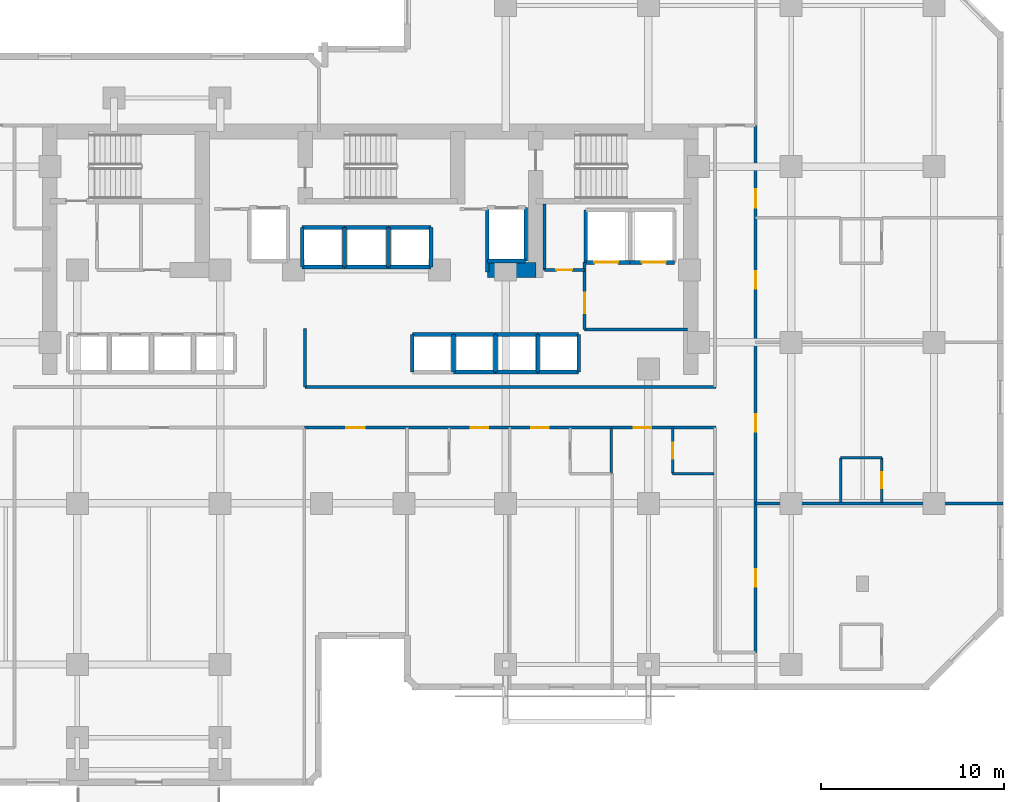
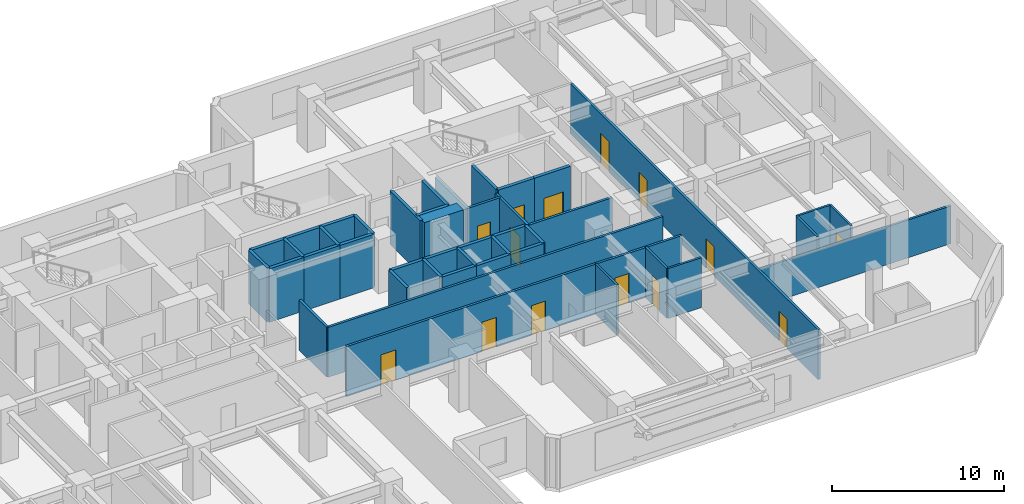
# One storey, part 8 of 12: 44 walls, 14 doors, 14 openings.
"""IFC4 building model written with IfcOpenShell, lengths in metres."""

import ifcopenshell
import ifcopenshell.guid

model = None  # the IFC model being written
_history = None  # IfcOwnerHistory: only IFC2X3 demands one
_inside = {}  # id of a spatial element -> (the spatial element, [elements in it])
_under = {}  # id of a project, library or spatial element -> (it, [spatial elements below it])
_declared = {}  # id of a project -> (the project, [libraries it declares])
_typed = {}  # id of a type object -> (the type object, [elements of that type])
_made_of = {}  # id of a material, layer set ... -> (it, [elements and type objects made of it])


def new_model(schema):
    """Start an empty IFC model of exactly this schema.

    Asked for "IFC4X3", IfcOpenShell would pick the latest addendum, in which some entities
    have other attributes; the version numbers below select the first issue.
    IFC2X3 requires an IfcOwnerHistory on every rooted entity: one is made here for all.
    """
    global model, _history
    if schema == "IFC4X3":
        model = ifcopenshell.file(schema_version=(4, 3, 0, 0))
    else:
        model = ifcopenshell.file(schema=schema)
    _inside.clear()
    _under.clear()
    _declared.clear()
    _typed.clear()
    _made_of.clear()
    _history = None
    if model.schema == "IFC2X3":
        org = make("IfcOrganization", Name="unknown")
        user = make(
            "IfcPersonAndOrganization",
            ThePerson=make("IfcPerson", FamilyName="unknown"),
            TheOrganization=org,
        )
        app = make(
            "IfcApplication",
            ApplicationDeveloper=org,
            Version="unknown",
            ApplicationFullName="unknown",
            ApplicationIdentifier="unknown",
        )
        _history = make(
            "IfcOwnerHistory",
            OwningUser=user,
            OwningApplication=app,
            ChangeAction="ADDED",
            CreationDate=0,
        )
    return model


def make(cls, **values):
    """One entity of the class cls with the attributes given. An attribute that is None is left unset."""
    return model.create_entity(
        cls, **{name: value for name, value in values.items() if value is not None}
    )


def rooted(cls, **values):
    """An entity with a GlobalId (a new one), such as an element, a storey or a relation."""
    return make(cls, GlobalId=ifcopenshell.guid.new(), OwnerHistory=_history, **values)


def si_unit(unit_type, name, prefix=None):
    """IfcSIUnit, for example si_unit("LENGTHUNIT", "METRE", prefix="MILLI")."""
    return make("IfcSIUnit", UnitType=unit_type, Prefix=prefix, Name=name)


def assignment(units):
    """IfcUnitAssignment: the units of a project."""
    return None if units is None else make("IfcUnitAssignment", Units=units)


def point(xyz):
    """IfcCartesianPoint."""
    return None if xyz is None else make("IfcCartesianPoint", Coordinates=xyz)


def direction(xyz):
    """IfcDirection."""
    return None if xyz is None else make("IfcDirection", DirectionRatios=xyz)


def frame(location, z_axis=None, x_axis=None):
    """IfcAxis2Placement3D, a coordinate frame: its origin and axes. An axis left out is left unset."""
    return make(
        "IfcAxis2Placement3D",
        Location=point(location),
        Axis=direction(z_axis),
        RefDirection=direction(x_axis),
    )


def frame_2d(location, x_axis=None):
    """IfcAxis2Placement2D, a coordinate frame in the plane: its origin and x axis."""
    return make(
        "IfcAxis2Placement2D", Location=point(location), RefDirection=direction(x_axis)
    )


def origin():
    """The frame at (0, 0, 0) with its axes left unset."""
    return frame((0.0, 0.0, 0.0))


def place(relative_to, where):
    """IfcLocalPlacement: puts the frame where relative to a parent placement (None: the world)."""
    return make(
        "IfcLocalPlacement", PlacementRelTo=relative_to, RelativePlacement=where
    )


def context(
    kind, dimensions, precision=None, world=None, true_north=None, identifier=None
):
    """IfcGeometricRepresentationContext, for example the 3D "Model" context."""
    return make(
        "IfcGeometricRepresentationContext",
        ContextIdentifier=identifier,
        ContextType=kind,
        CoordinateSpaceDimension=dimensions,
        Precision=precision,
        WorldCoordinateSystem=world,
        TrueNorth=true_north,
    )


def subcontext(parent, identifier, kind, view, scale=None):
    """IfcGeometricRepresentationSubContext, for example "Body" below "Model"."""
    return make(
        "IfcGeometricRepresentationSubContext",
        ContextIdentifier=identifier,
        ContextType=kind,
        ParentContext=parent,
        TargetScale=scale,
        TargetView=view,
    )


def project(units=None, contexts=None):
    """IfcProject with its units and contexts."""
    return rooted(
        "IfcProject",
        Name="project",
        RepresentationContexts=contexts,
        UnitsInContext=assignment(units),
    )


def spatial(cls, under=None, at=None, **own):
    """A site, building, storey or space (cls), placed at a placement, below another one or the project."""
    s = rooted(cls, ObjectPlacement=at, **own)
    if under is not None:
        _under.setdefault(under.id(), (under, []))[1].append(s)
    return s


def profile(cls, at=None, kind="AREA", **sizes):
    """A parametric profile (cls). Its sizes go by their IFC names, for example OverallWidth=200.0."""
    return make(cls, ProfileType=kind, Position=at, **sizes)


def rectangle(**sizes):
    """IfcRectangleProfileDef."""
    return profile("IfcRectangleProfileDef", **sizes)


def extrude(swept, where, along, depth):
    """IfcExtrudedAreaSolid: the profile swept, set in the frame where, extruded along a direction by depth."""
    return make(
        "IfcExtrudedAreaSolid",
        SweptArea=swept,
        Position=where,
        ExtrudedDirection=direction(along),
        Depth=depth,
    )


def shape(context_of_items, identifier, shape_type, items):
    """IfcShapeRepresentation: the items that make up one representation, for example the "Body"."""
    return make(
        "IfcShapeRepresentation",
        ContextOfItems=context_of_items,
        RepresentationIdentifier=identifier,
        RepresentationType=shape_type,
        Items=items,
    )


def material(Name=None, Category=None):
    """IfcMaterial."""
    return make("IfcMaterial", Name=Name, Category=Category)


def layer(
    of_material, thickness, ventilated=None, Name=None, Category=None, Priority=None
):
    """IfcMaterialLayer: one layer of a wall or slab, of a material (None: an air gap)."""
    return make(
        "IfcMaterialLayer",
        Material=of_material,
        LayerThickness=thickness,
        IsVentilated=ventilated,
        Name=Name,
        Category=Category,
        Priority=Priority,
    )


def layer_set(layers, Name=None):
    """IfcMaterialLayerSet."""
    return make("IfcMaterialLayerSet", MaterialLayers=layers, LayerSetName=Name)


def made_of(thing, what):
    """Note that an element or type object is made of a material, layer set ...; save() writes the relation."""
    if what is not None:
        _made_of.setdefault(what.id(), (what, []))[1].append(thing)
    return thing


def type_object(cls, material=None, **own):
    """A type object (cls), such as IfcWallType, which elements share."""
    return made_of(rooted(cls, **own), material)


def element(
    cls,
    number,
    at=None,
    inside=None,
    cuts=None,
    type_object=None,
    material=None,
    context=None,
    identifier="Body",
    shape_type=None,
    held_by="IfcProductDefinitionShape",
    body=None,
    shapes=None,
    **own,
):
    """One element of the class cls, such as IfcWall. Its Tag is "e" and its number.

    at: its placement. inside: the storey or other place that contains it. cuts: it is an
    opening in that element (IfcRelVoidsElement). A single representation is given by context,
    identifier, shape_type and body (its items); several are given by shapes. held_by: the class
    of the entity that holds the representations. save() writes the other relations.
    """
    e = rooted(cls, Tag="e%d" % number, ObjectPlacement=at, **own)
    if body is not None:
        shapes = [shape(context, identifier, shape_type, body)]
    if shapes is not None:
        e.Representation = make(held_by, Representations=shapes)
    if inside is not None:
        _inside.setdefault(inside.id(), (inside, []))[1].append(e)
    if cuts is not None:
        rooted(
            "IfcRelVoidsElement", RelatingBuildingElement=cuts, RelatedOpeningElement=e
        )
    if type_object is not None:
        _typed.setdefault(type_object.id(), (type_object, []))[1].append(e)
    return made_of(e, material)


def fill(opening, filler):
    """IfcRelFillsElement: the door or window that sits in an opening."""
    return rooted(
        "IfcRelFillsElement",
        RelatingOpeningElement=opening,
        RelatedBuildingElement=filler,
    )


def aggregate(whole, parts):
    """IfcRelAggregates: a whole, such as a stair, and the parts it consists of."""
    return rooted("IfcRelAggregates", RelatingObject=whole, RelatedObjects=parts)


def save(model, path):
    """Write the relations noted so far, then the file.

    IfcRelAggregates (storeys below a building ...), IfcRelContainedInSpatialStructure (elements
    in a storey), IfcRelDefinesByType, IfcRelAssociatesMaterial and IfcRelDeclares: one each for
    every whole, place, type object, material and project.
    """
    for whole, parts in _under.values():
        aggregate(whole, parts)
    for where, things in _inside.values():
        rooted(
            "IfcRelContainedInSpatialStructure",
            RelatedElements=things,
            RelatingStructure=where,
        )
    for kind, things in _typed.values():
        rooted("IfcRelDefinesByType", RelatedObjects=things, RelatingType=kind)
    for what, things in _made_of.values():
        rooted("IfcRelAssociatesMaterial", RelatedObjects=things, RelatingMaterial=what)
    for by, libraries in _declared.values():
        rooted("IfcRelDeclares", RelatingContext=by, RelatedDefinitions=libraries)
    model.write(path)


model = new_model("IFC4")

# Units and contexts
model_context = context("Model", 3, precision=1e-05, world=origin(), true_north=direction((0.0, 1.0)))
body_context = subcontext(model_context, "Body", "Model", "MODEL_VIEW")
ifc_project = project(units=[si_unit("LENGTHUNIT", "METRE"), si_unit("AREAUNIT", "SQUARE_METRE"), si_unit("VOLUMEUNIT", "CUBIC_METRE"), si_unit("PLANEANGLEUNIT", "RADIAN"), si_unit("MASSUNIT", "GRAM", prefix="KILO")], contexts=[model_context])

# Site, building, storey
site_placement = place(None, origin())
site = spatial("IfcSite", under=ifc_project, at=site_placement, CompositionType="ELEMENT")
building_placement = place(site_placement, origin())
building = spatial("IfcBuilding", under=site, at=building_placement, Name="Kestravale Grand Hotel", CompositionType="ELEMENT")
storey_placement = place(building_placement, frame((0.0, 0.0, 103.199951171875)))
storey = spatial("IfcBuildingStorey", under=building, at=storey_placement, Name="L25", CompositionType="ELEMENT", Elevation=103.199951171875)

# Wall
ifc_material_1 = material(Name="Concrete f'c 60 MPa", Category="concrete")
ifc_layer_1 = layer(ifc_material_1, 0.800048828125)
ifc_layer_set_1 = layer_set([ifc_layer_1], Name="EW-CORE-800")
wall_type_1 = type_object("IfcWallType", Name="EW-CORE-800", PredefinedType="SHEAR", material=ifc_layer_set_1)
wall_1_placement = place(storey_placement, frame((45.81005859375, 32.75, 0.0), z_axis=(0.0, 0.0, 1.0), x_axis=(1.0, 0.0, 0.0)))
element("IfcWall", 1, at=wall_1_placement, inside=storey, type_object=wall_type_1, Name="L25 core shear wall S2", PredefinedType="SHEAR", context=body_context, shape_type="SweptSolid", body=[
    extrude(rectangle(XDim=2.639892578125, YDim=0.800048828125, at=frame_2d((1.31982421875, 0.0))), origin(), (0.0, 0.0, 1.0), 3.800048828125),
])

# Wall, opening, door
ifc_material_2 = material(Name="Acoustic fire-rated gypsum board partition", Category="other")
ifc_layer_2 = layer(ifc_material_2, 0.159912109375)
ifc_layer_set_2 = layer_set([ifc_layer_2], Name="IW-CORR-160")
wall_type_2 = type_object("IfcWallType", Name="IW-CORR-160", PredefinedType="PARTITIONING", material=ifc_layer_set_2)
wall_2_placement = place(storey_placement, frame((51.1201171875, 29.5, 0.0), z_axis=(0.0, 0.0, 1.0), x_axis=(0.0, 1.0, 0.0)))
wall_2 = element("IfcWall", 2, at=wall_2_placement, inside=storey, type_object=wall_type_2, Name="W-L25-SVCLOB-W", PredefinedType="PARTITIONING", context=body_context, shape_type="SweptSolid", body=[
    extrude(rectangle(XDim=3.699951171875, YDim=0.159912109375, at=frame_2d((1.85009765625, 0.0))), origin(), (0.0, 0.0, 1.0), 3.5400390625),
])
opening_1_placement = place(wall_2_placement, frame((0.89990234375, 0.0, 0.0)))
opening_1 = element("IfcOpeningElement", 3, at=opening_1_placement, cuts=wall_2, Name="Opening D-CORR-1100", PredefinedType="OPENING", context=body_context, shape_type="SweptSolid", body=[
    extrude(rectangle(XDim=1.10009765625, YDim=2.14990234375, at=frame_2d((0.550048828125, 1.074951171875))), frame((0.0, 0.08984375, 0.0), z_axis=(0.0, -1.0, 0.0), x_axis=(1.0, 0.0, 0.0)), (0.0, 0.0, 1.0), 0.179931640625),
])
ifc_material_3 = material(Name="Single-leaf service vestibule fire door", Category="steel")
door_type_1 = type_object("IfcDoorType", Name="D-CORR-1100", OperationType="NOTDEFINED", PredefinedType="DOOR", material=ifc_material_3)
door_1_placement = place(opening_1_placement, origin())
door_1 = element("IfcDoor", 4, at=door_1_placement, inside=storey, type_object=door_type_1, Name="L25 service lift lobby door", OperationType="SINGLE_SWING_LEFT", OverallHeight=2.14990234375, OverallWidth=1.10009765625, PredefinedType="DOOR", context=body_context, shape_type="SweptSolid", body=[
    extrude(rectangle(XDim=1.10009765625, YDim=2.14990234375, at=frame_2d((0.550048828125, 1.074951171875))), frame((0.0, 0.02490234375, 0.0), z_axis=(0.0, -1.0, 0.0), x_axis=(1.0, 0.0, 0.0)), (0.0, 0.0, 1.0), 0.050048828125),
])
fill(opening_1, door_1)

# Wall
wall_3_placement = place(storey_placement, frame((51.1201171875, 29.5, 0.0), z_axis=(0.0, 0.0, 1.0), x_axis=(1.0, 0.0, 0.0)))
element("IfcWall", 5, at=wall_3_placement, inside=storey, type_object=wall_type_2, Name="L25 service lift lobby wall", PredefinedType="PARTITIONING", context=body_context, shape_type="SweptSolid", body=[
    extrude(rectangle(XDim=5.6298828125, YDim=0.159912109375, at=frame_2d((2.81494140625, 0.0))), origin(), (0.0, 0.0, 1.0), 3.5400390625),
])

# Wall, opening, door
wall_4_placement = place(storey_placement, frame((48.919921875, 32.75, 0.0), z_axis=(0.0, 0.0, 1.0), x_axis=(1.0, 0.0, 0.0)))
wall_4 = element("IfcWall", 6, at=wall_4_placement, inside=storey, type_object=wall_type_2, Name="W-L25-CES", PredefinedType="PARTITIONING", context=body_context, shape_type="SweptSolid", body=[
    extrude(rectangle(XDim=2.2001953125, YDim=0.159912109375, at=frame_2d((1.10009765625, 0.0))), origin(), (0.0, 0.0, 1.0), 3.5400390625),
])
opening_2_placement = place(wall_4_placement, frame((0.64990234375, 0.0, 0.0)))
opening_2 = element("IfcOpeningElement", 7, at=opening_2_placement, cuts=wall_4, Name="Opening D-SH-860", PredefinedType="OPENING", context=body_context, shape_type="SweptSolid", body=[
    extrude(rectangle(XDim=0.860107421875, YDim=2.050048828125, at=frame_2d((0.43017578125, 1.02490234375))), frame((0.0, 0.08984375, 0.0), z_axis=(0.0, -1.0, 0.0), x_axis=(1.0, 0.0, 0.0)), (0.0, 0.0, 1.0), 0.179931640625),
])
ifc_material_4 = material(Name="Galvanised 90-minute riser fire door", Category="steel")
door_type_2 = type_object("IfcDoorType", Name="D-SH-860", OperationType="NOTDEFINED", PredefinedType="DOOR", material=ifc_material_4)
door_2_placement = place(opening_2_placement, origin())
door_2 = element("IfcDoor", 8, at=door_2_placement, inside=storey, type_object=door_type_2, Name="L25 CSTO1 door", OperationType="SINGLE_SWING_RIGHT", OverallHeight=2.050048828125, OverallWidth=0.860107421875, PredefinedType="DOOR", context=body_context, shape_type="SweptSolid", body=[
    extrude(rectangle(XDim=0.860107421875, YDim=2.050048828125, at=frame_2d((0.43017578125, 1.02490234375))), frame((0.0, 0.02490234375, 0.0), z_axis=(0.0, -1.0, 0.0), x_axis=(1.0, 0.0, 0.0)), (0.0, 0.0, 1.0), 0.050048828125),
])
fill(opening_2, door_2)

# Walls
wall_5_placement = place(storey_placement, frame((35.85009765625, 26.360107421875, 0.0), z_axis=(0.0, 0.0, 1.0), x_axis=(1.0, 0.0, 0.0)))
element("IfcWall", 9, at=wall_5_placement, inside=storey, type_object=wall_type_2, Name="W-L25-CE-N", PredefinedType="PARTITIONING", context=body_context, shape_type="SweptSolid", body=[
    extrude(rectangle(XDim=22.449951171875, YDim=0.159912109375, at=frame_2d((11.22509765625, 0.0))), origin(), (0.0, 0.0, 1.0), 3.5400390625),
])
wall_6_placement = place(storey_placement, frame((35.85009765625, 26.360107421875, 0.0), z_axis=(0.0, 0.0, 1.0), x_axis=(0.0, 1.0, 0.0)))
element("IfcWall", 10, at=wall_6_placement, inside=storey, type_object=wall_type_2, Name="W-L25-TRUNK-E", PredefinedType="PARTITIONING", context=body_context, shape_type="SweptSolid", body=[
    extrude(rectangle(XDim=3.18994140625, YDim=0.159912109375, at=frame_2d((1.594970703125, 0.0))), origin(), (0.0, 0.0, 1.0), 3.5400390625),
])

# Wall, openings, doors
wall_7_placement = place(storey_placement, frame((35.800048828125, 24.139892578125, 0.0), z_axis=(0.0, 0.0, 1.0), x_axis=(1.0, 0.0, 0.0)))
wall_7 = element("IfcWall", 11, at=wall_7_placement, inside=storey, type_object=wall_type_2, Name="W-L25-CE-S", PredefinedType="PARTITIONING", context=body_context, shape_type="SweptSolid", body=[
    extrude(rectangle(XDim=22.5, YDim=0.159912109375, at=frame_2d((11.25, 0.0))), origin(), (0.0, 0.0, 1.0), 3.5400390625),
])
opening_3_placement = place(wall_7_placement, frame((2.304931640625, 0.0, 0.0)))
opening_3 = element("IfcOpeningElement", 12, at=opening_3_placement, cuts=wall_7, Name="Opening D-GUEST-1000", PredefinedType="OPENING", context=body_context, shape_type="SweptSolid", body=[
    extrude(rectangle(XDim=1.0, YDim=2.14990234375, at=frame_2d((0.5, 1.074951171875))), frame((0.0, 0.08984375, 0.0), z_axis=(0.0, -1.0, 0.0), x_axis=(1.0, 0.0, 0.0)), (0.0, 0.0, 1.0), 0.179931640625),
])
opening_4_placement = place(wall_7_placement, frame((9.094970703125, 0.0, 0.0)))
opening_4 = element("IfcOpeningElement", 13, at=opening_4_placement, cuts=wall_7, Name="Opening D-GUEST-950", PredefinedType="OPENING", context=body_context, shape_type="SweptSolid", body=[
    extrude(rectangle(XDim=0.949951171875, YDim=2.10009765625, at=frame_2d((0.47509765625, 1.050048828125))), frame((0.0, 0.08984375, 0.0), z_axis=(0.0, -1.0, 0.0), x_axis=(1.0, 0.0, 0.0)), (0.0, 0.0, 1.0), 0.179931640625),
])
opening_5_placement = place(wall_7_placement, frame((12.39501953125, 0.0, 0.0)))
opening_5 = element("IfcOpeningElement", 14, at=opening_5_placement, cuts=wall_7, Name="Opening D-GUEST-950", PredefinedType="OPENING", context=body_context, shape_type="SweptSolid", body=[
    extrude(rectangle(XDim=0.949951171875, YDim=2.10009765625, at=frame_2d((0.47509765625, 1.050048828125))), frame((0.0, 0.08984375, 0.0), z_axis=(0.0, -1.0, 0.0), x_axis=(1.0, 0.0, 0.0)), (0.0, 0.0, 1.0), 0.179931640625),
])
opening_6_placement = place(wall_7_placement, frame((18.0048828125, 0.0, 0.0)))
opening_6 = element("IfcOpeningElement", 15, at=opening_6_placement, cuts=wall_7, Name="Opening D-GUEST-950", PredefinedType="OPENING", context=body_context, shape_type="SweptSolid", body=[
    extrude(rectangle(XDim=0.949951171875, YDim=2.10009765625, at=frame_2d((0.47509765625, 1.050048828125))), frame((0.0, 0.08984375, 0.0), z_axis=(0.0, -1.0, 0.0), x_axis=(1.0, 0.0, 0.0)), (0.0, 0.0, 1.0), 0.179931640625),
])
ifc_material_5 = material(Name="Accessible walnut veneer hotel entrance fire door", Category="wood")
door_type_3 = type_object("IfcDoorType", Name="D-GUEST-1000", OperationType="NOTDEFINED", PredefinedType="DOOR", material=ifc_material_5)
door_3_placement = place(opening_3_placement, origin())
door_3 = element("IfcDoor", 16, at=door_3_placement, inside=storey, type_object=door_type_3, Name="D-L25-AME", OperationType="SINGLE_SWING_RIGHT", OverallHeight=2.14990234375, OverallWidth=1.0, PredefinedType="DOOR", context=body_context, shape_type="SweptSolid", body=[
    extrude(rectangle(XDim=1.0, YDim=2.14990234375, at=frame_2d((0.5, 1.074951171875))), frame((0.0, 0.02490234375, 0.0), z_axis=(0.0, -1.0, 0.0), x_axis=(1.0, 0.0, 0.0)), (0.0, 0.0, 1.0), 0.050048828125),
])
fill(opening_3, door_3)
ifc_material_6 = material(Name="Walnut veneer hotel guestroom entrance fire door", Category="wood")
door_type_4 = type_object("IfcDoorType", Name="D-GUEST-950", OperationType="NOTDEFINED", PredefinedType="DOOR", material=ifc_material_6)
door_4_placement = place(opening_4_placement, origin())
door_4 = element("IfcDoor", 17, at=door_4_placement, inside=storey, type_object=door_type_4, Name="D-L25-U01-ENT", OperationType="SINGLE_SWING_RIGHT", OverallHeight=2.10009765625, OverallWidth=0.949951171875, PredefinedType="DOOR", context=body_context, shape_type="SweptSolid", body=[
    extrude(rectangle(XDim=0.949951171875, YDim=2.10009765625, at=frame_2d((0.47509765625, 1.050048828125))), frame((0.0, 0.02490234375, 0.0), z_axis=(0.0, -1.0, 0.0), x_axis=(1.0, 0.0, 0.0)), (0.0, 0.0, 1.0), 0.050048828125),
])
fill(opening_4, door_4)
door_5_placement = place(opening_5_placement, origin())
door_5 = element("IfcDoor", 18, at=door_5_placement, inside=storey, type_object=door_type_4, Name="D-L25-U02-ENT", OperationType="SINGLE_SWING_RIGHT", OverallHeight=2.10009765625, OverallWidth=0.949951171875, PredefinedType="DOOR", context=body_context, shape_type="SweptSolid", body=[
    extrude(rectangle(XDim=0.949951171875, YDim=2.10009765625, at=frame_2d((0.47509765625, 1.050048828125))), frame((0.0, 0.02490234375, 0.0), z_axis=(0.0, -1.0, 0.0), x_axis=(1.0, 0.0, 0.0)), (0.0, 0.0, 1.0), 0.050048828125),
])
fill(opening_5, door_5)
door_6_placement = place(opening_6_placement, origin())
door_6 = element("IfcDoor", 19, at=door_6_placement, inside=storey, type_object=door_type_4, Name="D-L25-U03-ENT", OperationType="SINGLE_SWING_RIGHT", OverallHeight=2.10009765625, OverallWidth=0.949951171875, PredefinedType="DOOR", context=body_context, shape_type="SweptSolid", body=[
    extrude(rectangle(XDim=0.949951171875, YDim=2.10009765625, at=frame_2d((0.47509765625, 1.050048828125))), frame((0.0, 0.02490234375, 0.0), z_axis=(0.0, -1.0, 0.0), x_axis=(1.0, 0.0, 0.0)), (0.0, 0.0, 1.0), 0.050048828125),
])
fill(opening_6, door_6)

wall_8_placement = place(storey_placement, frame((60.4599609375, 11.85009765625, 0.0), z_axis=(0.0, 0.0, 1.0), x_axis=(0.0, 1.0, 0.0)))
wall_8 = element("IfcWall", 20, at=wall_8_placement, inside=storey, type_object=wall_type_2, Name="W-L25-SE-E", PredefinedType="PARTITIONING", context=body_context, shape_type="SweptSolid", body=[
    extrude(rectangle(XDim=28.7998046875, YDim=0.159912109375, at=frame_2d((14.39990234375, 0.0))), origin(), (0.0, 0.0, 1.0), 3.5400390625),
])
opening_7_placement = place(wall_8_placement, frame((3.60009765625, 0.0, 0.0)))
opening_7 = element("IfcOpeningElement", 21, at=opening_7_placement, cuts=wall_8, Name="Opening D-GUEST-950", PredefinedType="OPENING", context=body_context, shape_type="SweptSolid", body=[
    extrude(rectangle(XDim=0.949951171875, YDim=2.10009765625, at=frame_2d((0.47509765625, 1.050048828125))), frame((0.0, 0.08984375, 0.0), z_axis=(0.0, -1.0, 0.0), x_axis=(1.0, 0.0, 0.0)), (0.0, 0.0, 1.0), 0.179931640625),
])
opening_8_placement = place(wall_8_placement, frame((12.074951171875, 0.0, 0.0)))
opening_8 = element("IfcOpeningElement", 22, at=opening_8_placement, cuts=wall_8, Name="Opening D-GUEST-950", PredefinedType="OPENING", context=body_context, shape_type="SweptSolid", body=[
    extrude(rectangle(XDim=0.949951171875, YDim=2.10009765625, at=frame_2d((0.47509765625, 1.050048828125))), frame((0.0, 0.08984375, 0.0), z_axis=(0.0, -1.0, 0.0), x_axis=(1.0, 0.0, 0.0)), (0.0, 0.0, 1.0), 0.179931640625),
])
opening_9_placement = place(wall_8_placement, frame((19.875, 0.0, 0.0)))
opening_9 = element("IfcOpeningElement", 23, at=opening_9_placement, cuts=wall_8, Name="Opening D-GUEST-950", PredefinedType="OPENING", context=body_context, shape_type="SweptSolid", body=[
    extrude(rectangle(XDim=0.949951171875, YDim=2.10009765625, at=frame_2d((0.47509765625, 1.050048828125))), frame((0.0, 0.08984375, 0.0), z_axis=(0.0, -1.0, 0.0), x_axis=(1.0, 0.0, 0.0)), (0.0, 0.0, 1.0), 0.179931640625),
])
opening_10_placement = place(wall_8_placement, frame((24.300048828125, 0.0, 0.0)))
opening_10 = element("IfcOpeningElement", 24, at=opening_10_placement, cuts=wall_8, Name="Opening D-GUEST-1000", PredefinedType="OPENING", context=body_context, shape_type="SweptSolid", body=[
    extrude(rectangle(XDim=1.0, YDim=2.14990234375, at=frame_2d((0.5, 1.074951171875))), frame((0.0, 0.08984375, 0.0), z_axis=(0.0, -1.0, 0.0), x_axis=(1.0, 0.0, 0.0)), (0.0, 0.0, 1.0), 0.179931640625),
])
door_7_placement = place(opening_10_placement, origin())
door_7 = element("IfcDoor", 25, at=door_7_placement, inside=storey, type_object=door_type_3, Name="D-L25-AMEW", OperationType="SINGLE_SWING_RIGHT", OverallHeight=2.14990234375, OverallWidth=1.0, PredefinedType="DOOR", context=body_context, shape_type="SweptSolid", body=[
    extrude(rectangle(XDim=1.0, YDim=2.14990234375, at=frame_2d((0.5, 1.074951171875))), frame((0.0, 0.02490234375, 0.0), z_axis=(0.0, -1.0, 0.0), x_axis=(1.0, 0.0, 0.0)), (0.0, 0.0, 1.0), 0.050048828125),
])
fill(opening_10, door_7)
door_8_placement = place(opening_7_placement, origin())
door_8 = element("IfcDoor", 26, at=door_8_placement, inside=storey, type_object=door_type_4, Name="D-L25-U07-ENT", OperationType="SINGLE_SWING_LEFT", OverallHeight=2.10009765625, OverallWidth=0.949951171875, PredefinedType="DOOR", context=body_context, shape_type="SweptSolid", body=[
    extrude(rectangle(XDim=0.949951171875, YDim=2.10009765625, at=frame_2d((0.47509765625, 1.050048828125))), frame((0.0, 0.02490234375, 0.0), z_axis=(0.0, -1.0, 0.0), x_axis=(1.0, 0.0, 0.0)), (0.0, 0.0, 1.0), 0.050048828125),
])
fill(opening_7, door_8)
door_9_placement = place(opening_8_placement, origin())
door_9 = element("IfcDoor", 27, at=door_9_placement, inside=storey, type_object=door_type_4, Name="D-L25-U08-ENT", OperationType="SINGLE_SWING_LEFT", OverallHeight=2.10009765625, OverallWidth=0.949951171875, PredefinedType="DOOR", context=body_context, shape_type="SweptSolid", body=[
    extrude(rectangle(XDim=0.949951171875, YDim=2.10009765625, at=frame_2d((0.47509765625, 1.050048828125))), frame((0.0, 0.02490234375, 0.0), z_axis=(0.0, -1.0, 0.0), x_axis=(1.0, 0.0, 0.0)), (0.0, 0.0, 1.0), 0.050048828125),
])
fill(opening_8, door_9)
door_10_placement = place(opening_9_placement, origin())
door_10 = element("IfcDoor", 28, at=door_10_placement, inside=storey, type_object=door_type_4, Name="D-L25-U09-ENT", OperationType="SINGLE_SWING_LEFT", OverallHeight=2.10009765625, OverallWidth=0.949951171875, PredefinedType="DOOR", context=body_context, shape_type="SweptSolid", body=[
    extrude(rectangle(XDim=0.949951171875, YDim=2.10009765625, at=frame_2d((0.47509765625, 1.050048828125))), frame((0.0, 0.02490234375, 0.0), z_axis=(0.0, -1.0, 0.0), x_axis=(1.0, 0.0, 0.0)), (0.0, 0.0, 1.0), 0.050048828125),
])
fill(opening_9, door_10)

# Wall
ifc_material_7 = material(Name="Moisture-resistant tile-backer plumbing chase wall", Category="other")
ifc_layer_3 = layer(ifc_material_7, 0.139892578125)
ifc_layer_set_3 = layer_set([ifc_layer_3], Name="IW-PLB-140")
wall_type_3 = type_object("IfcWallType", Name="IW-PLB-140", PredefinedType="PLUMBINGWALL", material=ifc_layer_set_3)
wall_9_placement = place(storey_placement, frame((52.570068359375, 21.6298828125, 0.0), z_axis=(0.0, 0.0, 1.0), x_axis=(0.0, 1.0, 0.0)))
element("IfcWall", 29, at=wall_9_placement, inside=storey, type_object=wall_type_3, Name="W-L25-U02-BE", PredefinedType="PLUMBINGWALL", context=body_context, shape_type="SweptSolid", body=[
    extrude(rectangle(XDim=2.490234375, YDim=0.139892578125, at=frame_2d((1.2451171875, 0.0))), origin(), (0.0, 0.0, 1.0), 3.5400390625),
])

# Wall, opening, door
wall_10_placement = place(storey_placement, frame((55.929931640625, 21.6298828125, 0.0), z_axis=(0.0, 0.0, 1.0), x_axis=(0.0, 1.0, 0.0)))
wall_10 = element("IfcWall", 30, at=wall_10_placement, inside=storey, type_object=wall_type_3, Name="W-L25-U03-BW", PredefinedType="PLUMBINGWALL", context=body_context, shape_type="SweptSolid", body=[
    extrude(rectangle(XDim=2.490234375, YDim=0.139892578125, at=frame_2d((1.2451171875, 0.0))), origin(), (0.0, 0.0, 1.0), 3.5400390625),
])
opening_11_placement = place(wall_10_placement, frame((0.804931640625, 0.0, 0.0)))
opening_11 = element("IfcOpeningElement", 31, at=opening_11_placement, cuts=wall_10, Name="Opening D-BATH-880", PredefinedType="OPENING", context=body_context, shape_type="SweptSolid", body=[
    extrude(rectangle(XDim=0.8798828125, YDim=2.050048828125, at=frame_2d((0.43994140625, 1.02490234375))), frame((0.0, 0.079833984375, 0.0), z_axis=(0.0, -1.0, 0.0), x_axis=(1.0, 0.0, 0.0)), (0.0, 0.0, 1.0), 0.159912109375),
])
ifc_material_8 = material(Name="Moisture-sealed walnut en-suite bathroom door", Category="wood")
door_type_5 = type_object("IfcDoorType", Name="D-BATH-880", OperationType="NOTDEFINED", PredefinedType="DOOR", material=ifc_material_8)
door_11_placement = place(opening_11_placement, origin())
door_11 = element("IfcDoor", 32, at=door_11_placement, inside=storey, type_object=door_type_5, Name="D-L25-U03-BATH", OperationType="SINGLE_SWING_LEFT", OverallHeight=2.050048828125, OverallWidth=0.8798828125, PredefinedType="DOOR", context=body_context, shape_type="SweptSolid", body=[
    extrude(rectangle(XDim=0.8798828125, YDim=2.050048828125, at=frame_2d((0.43994140625, 1.02490234375))), frame((0.0, 0.02490234375, 0.0), z_axis=(0.0, -1.0, 0.0), x_axis=(1.0, 0.0, 0.0)), (0.0, 0.0, 1.0), 0.050048828125),
])
fill(opening_11, door_11)

# Walls
wall_11_placement = place(storey_placement, frame((55.929931640625, 21.6298828125, 0.0), z_axis=(0.0, 0.0, 1.0), x_axis=(1.0, 0.0, 0.0)))
element("IfcWall", 33, at=wall_11_placement, inside=storey, type_object=wall_type_3, Name="W-L25-U03-BS", PredefinedType="PLUMBINGWALL", context=body_context, shape_type="SweptSolid", body=[
    extrude(rectangle(XDim=2.25, YDim=0.139892578125, at=frame_2d((1.125, 0.0))), origin(), (0.0, 0.0, 1.0), 3.5400390625),
])
wall_12_placement = place(storey_placement, frame((65.10009765625, 20.0400390625, 0.0), z_axis=(0.0, 0.0, 1.0), x_axis=(0.0, 1.0, 0.0)))
element("IfcWall", 34, at=wall_12_placement, inside=storey, type_object=wall_type_3, Name="W-L25-U08-BW", PredefinedType="PLUMBINGWALL", context=body_context, shape_type="SweptSolid", body=[
    extrude(rectangle(XDim=2.449951171875, YDim=0.139892578125, at=frame_2d((1.22509765625, 0.0))), origin(), (0.0, 0.0, 1.0), 3.5400390625),
])

# Wall, opening, door
wall_13_placement = place(storey_placement, frame((67.35009765625, 20.0400390625, 0.0), z_axis=(0.0, 0.0, 1.0), x_axis=(0.0, 1.0, 0.0)))
wall_13 = element("IfcWall", 35, at=wall_13_placement, inside=storey, type_object=wall_type_3, Name="W-L25-U08-BE", PredefinedType="PLUMBINGWALL", context=body_context, shape_type="SweptSolid", body=[
    extrude(rectangle(XDim=2.449951171875, YDim=0.139892578125, at=frame_2d((1.22509765625, 0.0))), origin(), (0.0, 0.0, 1.0), 3.5400390625),
])
opening_12_placement = place(wall_13_placement, frame((0.784912109375, 0.0, 0.0)))
opening_12 = element("IfcOpeningElement", 36, at=opening_12_placement, cuts=wall_13, Name="Opening D-BATH-880", PredefinedType="OPENING", context=body_context, shape_type="SweptSolid", body=[
    extrude(rectangle(XDim=0.8798828125, YDim=2.050048828125, at=frame_2d((0.43994140625, 1.02490234375))), frame((0.0, 0.079833984375, 0.0), z_axis=(0.0, -1.0, 0.0), x_axis=(1.0, 0.0, 0.0)), (0.0, 0.0, 1.0), 0.159912109375),
])
door_12_placement = place(opening_12_placement, origin())
door_12 = element("IfcDoor", 37, at=door_12_placement, inside=storey, type_object=door_type_5, Name="D-L25-U08-BATH", OperationType="SINGLE_SWING_RIGHT", OverallHeight=2.050048828125, OverallWidth=0.8798828125, PredefinedType="DOOR", context=body_context, shape_type="SweptSolid", body=[
    extrude(rectangle(XDim=0.8798828125, YDim=2.050048828125, at=frame_2d((0.43994140625, 1.02490234375))), frame((0.0, 0.02490234375, 0.0), z_axis=(0.0, -1.0, 0.0), x_axis=(1.0, 0.0, 0.0)), (0.0, 0.0, 1.0), 0.050048828125),
])
fill(opening_12, door_12)

# Walls
wall_14_placement = place(storey_placement, frame((65.10009765625, 22.489990234375, 0.0), z_axis=(0.0, 0.0, 1.0), x_axis=(1.0, 0.0, 0.0)))
element("IfcWall", 38, at=wall_14_placement, inside=storey, type_object=wall_type_3, Name="W-L25-U08-BN", PredefinedType="PLUMBINGWALL", context=body_context, shape_type="SweptSolid", body=[
    extrude(rectangle(XDim=2.25, YDim=0.139892578125, at=frame_2d((1.125, 0.0))), origin(), (0.0, 0.0, 1.0), 3.5400390625),
])
ifc_material_9 = material(Name="Concrete f'c 45 MPa", Category="concrete")
ifc_layer_4 = layer(ifc_material_9, 0.199951171875)
ifc_layer_set_4 = layer_set([ifc_layer_4], Name="IW-SHAFT-200")
wall_type_4 = type_object("IfcWallType", Name="IW-SHAFT-200", PredefinedType="SHEAR", material=ifc_layer_set_4)
for number, where, z_axis, x_axis, name in (
    (39, (41.705078125, 27.169921875, 0.0), (0.0, 0.0, 1.0), (0.0, 1.0, 0.0), "L25 PL-M1 west shaft wall"),
    (40, (43.949951171875, 27.169921875, 0.0), (0.0, 0.0, 1.0), (0.0, 1.0, 0.0), "L25 PL-M2 west shaft wall"),
    (41, (46.25, 27.169921875, 0.0), (0.0, 0.0, 1.0), (0.0, 1.0, 0.0), "L25 PL-M3 west shaft wall"),
    (42, (48.550048828125, 27.169921875, 0.0), (0.0, 0.0, 1.0), (0.0, 1.0, 0.0), "L25 PL-M4 west shaft wall"),
    (43, (50.794921875, 27.169921875, 0.0), (0.0, 0.0, 1.0), (0.0, 1.0, 0.0), "L25 PL-M4 east shaft wall"),
):
    element("IfcWall", number, at=place(storey_placement, frame(where, z_axis=z_axis, x_axis=x_axis)), inside=storey, type_object=wall_type_4, Name=name, PredefinedType="SHEAR", context=body_context, shape_type="SweptSolid", body=[
        extrude(rectangle(XDim=2.06005859375, YDim=0.199951171875, at=frame_2d((1.030029296875, 0.0))), origin(), (0.0, 0.0, 1.0), 3.800048828125),
    ])
for number, where, z_axis, x_axis, name in (
    (44, (35.679931640625, 32.919921875, 0.0), (0.0, 0.0, 1.0), (0.0, 1.0, 0.0), "L25 PL-X1 west shaft wall"),
    (45, (38.0, 32.919921875, 0.0), (0.0, 0.0, 1.0), (0.0, 1.0, 0.0), "L25 PL-X2 west shaft wall"),
    (46, (40.39990234375, 32.919921875, 0.0), (0.0, 0.0, 1.0), (0.0, 1.0, 0.0), "L25 PL-X3 west shaft wall"),
    (47, (42.719970703125, 32.919921875, 0.0), (0.0, 0.0, 1.0), (0.0, 1.0, 0.0), "L25 PL-X3 east shaft wall"),
):
    element("IfcWall", number, at=place(storey_placement, frame(where, z_axis=z_axis, x_axis=x_axis)), inside=storey, type_object=wall_type_4, Name=name, PredefinedType="SHEAR", context=body_context, shape_type="SweptSolid", body=[
        extrude(rectangle(XDim=2.16015625, YDim=0.199951171875, at=frame_2d((1.080078125, 0.0))), origin(), (0.0, 0.0, 1.0), 3.800048828125),
    ])
wall_15_placement = place(storey_placement, frame((51.179931640625, 33.169921875, 0.0), z_axis=(0.0, 0.0, 1.0), x_axis=(0.0, 1.0, 0.0)))
element("IfcWall", 48, at=wall_15_placement, inside=storey, type_object=wall_type_4, Name="L25 SL-1 west shaft wall", PredefinedType="SHEAR", context=body_context, shape_type="SweptSolid", body=[
    extrude(rectangle(XDim=2.860107421875, YDim=0.199951171875, at=frame_2d((1.43017578125, 0.0))), origin(), (0.0, 0.0, 1.0), 3.800048828125),
])
wall_16_placement = place(storey_placement, frame((45.804931640625, 32.64990234375, 0.0), z_axis=(0.0, 0.0, 1.0), x_axis=(0.0, 1.0, 0.0)))
element("IfcWall", 49, at=wall_16_placement, inside=storey, type_object=wall_type_4, Name="L25 FL-2 west shaft wall", PredefinedType="SHEAR", context=body_context, shape_type="SweptSolid", body=[
    extrude(rectangle(XDim=3.505126953125, YDim=0.199951171875, at=frame_2d((1.75244140625, 0.0))), origin(), (0.0, 0.0, 1.0), 3.800048828125),
])
wall_17_placement = place(storey_placement, frame((47.89501953125, 33.2451171875, 0.0), z_axis=(0.0, 0.0, 1.0), x_axis=(0.0, 1.0, 0.0)))
element("IfcWall", 50, at=wall_17_placement, inside=storey, type_object=wall_type_4, Name="L25 FL-2 east shaft wall", PredefinedType="SHEAR", context=body_context, shape_type="SweptSolid", body=[
    extrude(rectangle(XDim=2.909912109375, YDim=0.199951171875, at=frame_2d((1.455078125, 0.0))), origin(), (0.0, 0.0, 1.0), 3.800048828125),
])
ifc_material_10 = material(Name="Concrete f'c 45 MPa", Category="concrete")
ifc_layer_5 = layer(ifc_material_10, 0.219970703125)
ifc_layer_set_5 = layer_set([ifc_layer_5], Name="IW-SHAFT-220")
wall_type_5 = type_object("IfcWallType", Name="IW-SHAFT-220", PredefinedType="SHEAR", material=ifc_layer_set_5)
wall_18_placement = place(storey_placement, frame((41.705078125, 29.22998046875, 0.0), z_axis=(0.0, 0.0, 1.0), x_axis=(1.0, 0.0, 0.0)))
element("IfcWall", 51, at=wall_18_placement, inside=storey, type_object=wall_type_5, Name="L25 PL-M1 north shaft wall", PredefinedType="SHEAR", context=body_context, shape_type="SweptSolid", body=[
    extrude(rectangle(XDim=2.244873046875, YDim=0.219970703125, at=frame_2d((1.12255859375, 0.0))), origin(), (0.0, 0.0, 1.0), 3.800048828125),
])
for number, where, z_axis, x_axis, name in (
    (52, (43.949951171875, 29.22998046875, 0.0), (0.0, 0.0, 1.0), (1.0, 0.0, 0.0), "L25 PL-M2 north shaft wall"),
    (53, (43.949951171875, 27.169921875, 0.0), (0.0, 0.0, 1.0), (1.0, 0.0, 0.0), "L25 PL-M2 south shaft wall"),
    (54, (46.25, 29.22998046875, 0.0), (0.0, 0.0, 1.0), (1.0, 0.0, 0.0), "L25 PL-M3 north shaft wall"),
    (55, (46.25, 27.169921875, 0.0), (0.0, 0.0, 1.0), (1.0, 0.0, 0.0), "L25 PL-M3 south shaft wall"),
):
    element("IfcWall", number, at=place(storey_placement, frame(where, z_axis=z_axis, x_axis=x_axis)), inside=storey, type_object=wall_type_5, Name=name, PredefinedType="SHEAR", context=body_context, shape_type="SweptSolid", body=[
        extrude(rectangle(XDim=2.300048828125, YDim=0.219970703125, at=frame_2d((1.14990234375, 0.0))), origin(), (0.0, 0.0, 1.0), 3.800048828125),
    ])
for number, where, z_axis, x_axis, name in (
    (56, (48.550048828125, 29.22998046875, 0.0), (0.0, 0.0, 1.0), (1.0, 0.0, 0.0), "L25 PL-M4 north shaft wall"),
    (57, (48.550048828125, 27.169921875, 0.0), (0.0, 0.0, 1.0), (1.0, 0.0, 0.0), "L25 PL-M4 south shaft wall"),
):
    element("IfcWall", number, at=place(storey_placement, frame(where, z_axis=z_axis, x_axis=x_axis)), inside=storey, type_object=wall_type_5, Name=name, PredefinedType="SHEAR", context=body_context, shape_type="SweptSolid", body=[
        extrude(rectangle(XDim=2.244873046875, YDim=0.219970703125, at=frame_2d((1.12255859375, 0.0))), origin(), (0.0, 0.0, 1.0), 3.800048828125),
    ])
for number, where, z_axis, x_axis, name in (
    (58, (35.679931640625, 35.080078125, 0.0), (0.0, 0.0, 1.0), (1.0, 0.0, 0.0), "L25 PL-X1 north shaft wall"),
    (59, (35.679931640625, 32.919921875, 0.0), (0.0, 0.0, 1.0), (1.0, 0.0, 0.0), "L25 PL-X1 south shaft wall"),
):
    element("IfcWall", number, at=place(storey_placement, frame(where, z_axis=z_axis, x_axis=x_axis)), inside=storey, type_object=wall_type_5, Name=name, PredefinedType="SHEAR", context=body_context, shape_type="SweptSolid", body=[
        extrude(rectangle(XDim=2.320068359375, YDim=0.219970703125, at=frame_2d((1.16015625, 0.0))), origin(), (0.0, 0.0, 1.0), 3.800048828125),
    ])
for number, where, z_axis, x_axis, name in (
    (60, (38.0, 35.080078125, 0.0), (0.0, 0.0, 1.0), (1.0, 0.0, 0.0), "L25 PL-X2 north shaft wall"),
    (61, (38.0, 32.919921875, 0.0), (0.0, 0.0, 1.0), (1.0, 0.0, 0.0), "L25 PL-X2 south shaft wall"),
):
    element("IfcWall", number, at=place(storey_placement, frame(where, z_axis=z_axis, x_axis=x_axis)), inside=storey, type_object=wall_type_5, Name=name, PredefinedType="SHEAR", context=body_context, shape_type="SweptSolid", body=[
        extrude(rectangle(XDim=2.39990234375, YDim=0.219970703125, at=frame_2d((1.199951171875, 0.0))), origin(), (0.0, 0.0, 1.0), 3.800048828125),
    ])
for number, where, z_axis, x_axis, name in (
    (62, (40.39990234375, 35.080078125, 0.0), (0.0, 0.0, 1.0), (1.0, 0.0, 0.0), "L25 PL-X3 north shaft wall"),
    (63, (40.39990234375, 32.919921875, 0.0), (0.0, 0.0, 1.0), (1.0, 0.0, 0.0), "L25 PL-X3 south shaft wall"),
):
    element("IfcWall", number, at=place(storey_placement, frame(where, z_axis=z_axis, x_axis=x_axis)), inside=storey, type_object=wall_type_5, Name=name, PredefinedType="SHEAR", context=body_context, shape_type="SweptSolid", body=[
        extrude(rectangle(XDim=2.320068359375, YDim=0.219970703125, at=frame_2d((1.16015625, 0.0))), origin(), (0.0, 0.0, 1.0), 3.800048828125),
    ])

# Wall, opening, door
wall_19_placement = place(storey_placement, frame((51.179931640625, 33.169921875, 0.0), z_axis=(0.0, 0.0, 1.0), x_axis=(1.0, 0.0, 0.0)))
wall_19 = element("IfcWall", 64, at=wall_19_placement, inside=storey, type_object=wall_type_5, Name="L25 SL-1 south shaft wall", PredefinedType="SHEAR", context=body_context, shape_type="SweptSolid", body=[
    extrude(rectangle(XDim=2.420166015625, YDim=0.219970703125, at=frame_2d((1.2099609375, 0.0))), origin(), (0.0, 0.0, 1.0), 3.800048828125),
])
opening_13_placement = place(wall_19_placement, frame((0.469970703125, 0.0, 0.0)))
opening_13 = element("IfcOpeningElement", 65, at=opening_13_placement, cuts=wall_19, Name="Opening LD-SVC-1300", PredefinedType="OPENING", context=body_context, shape_type="SweptSolid", body=[
    extrude(rectangle(XDim=1.300048828125, YDim=2.14990234375, at=frame_2d((0.64990234375, 1.074951171875))), frame((0.0, 0.119873046875, 0.0), z_axis=(0.0, -1.0, 0.0), x_axis=(1.0, 0.0, 0.0)), (0.0, 0.0, 1.0), 0.239990234375),
])
ifc_material_11 = material(Name="Heavy-duty service sliding elevator landing door", Category="steel")
door_type_6 = type_object("IfcDoorType", Name="LD-SVC-1300", OperationType="NOTDEFINED", PredefinedType="DOOR", material=ifc_material_11)
door_13_placement = place(opening_13_placement, origin())
door_13 = element("IfcDoor", 66, at=door_13_placement, inside=storey, type_object=door_type_6, Name="L25 SL-1 elevator landing sliding door", OperationType="DOUBLE_DOOR_SLIDING", OverallHeight=2.14990234375, OverallWidth=1.300048828125, PredefinedType="DOOR", context=body_context, shape_type="SweptSolid", body=[
    extrude(rectangle(XDim=1.300048828125, YDim=2.14990234375, at=frame_2d((0.64990234375, 1.074951171875))), frame((0.0, 0.02490234375, 0.0), z_axis=(0.0, -1.0, 0.0), x_axis=(1.0, 0.0, 0.0)), (0.0, 0.0, 1.0), 0.050048828125),
])
fill(opening_13, door_13)

wall_20_placement = place(storey_placement, frame((53.60009765625, 33.169921875, 0.0), z_axis=(0.0, 0.0, 1.0), x_axis=(1.0, 0.0, 0.0)))
wall_20 = element("IfcWall", 67, at=wall_20_placement, inside=storey, type_object=wall_type_5, Name="L25 SL-2 south shaft wall", PredefinedType="SHEAR", context=body_context, shape_type="SweptSolid", body=[
    extrude(rectangle(XDim=2.419921875, YDim=0.219970703125, at=frame_2d((1.2099609375, 0.0))), origin(), (0.0, 0.0, 1.0), 3.800048828125),
])
opening_14_placement = place(wall_20_placement, frame((0.64990234375, 0.0, 0.0)))
opening_14 = element("IfcOpeningElement", 68, at=opening_14_placement, cuts=wall_20, Name="Opening LD-SVC-1300", PredefinedType="OPENING", context=body_context, shape_type="SweptSolid", body=[
    extrude(rectangle(XDim=1.300048828125, YDim=2.14990234375, at=frame_2d((0.64990234375, 1.074951171875))), frame((0.0, 0.119873046875, 0.0), z_axis=(0.0, -1.0, 0.0), x_axis=(1.0, 0.0, 0.0)), (0.0, 0.0, 1.0), 0.239990234375),
])
door_14_placement = place(opening_14_placement, origin())
door_14 = element("IfcDoor", 69, at=door_14_placement, inside=storey, type_object=door_type_6, Name="L25 SL-2 elevator landing sliding door", OperationType="DOUBLE_DOOR_SLIDING", OverallHeight=2.14990234375, OverallWidth=1.300048828125, PredefinedType="DOOR", context=body_context, shape_type="SweptSolid", body=[
    extrude(rectangle(XDim=1.300048828125, YDim=2.14990234375, at=frame_2d((0.64990234375, 1.074951171875))), frame((0.0, 0.02490234375, 0.0), z_axis=(0.0, -1.0, 0.0), x_axis=(1.0, 0.0, 0.0)), (0.0, 0.0, 1.0), 0.050048828125),
])
fill(opening_14, door_14)

# Walls
wall_21_placement = place(storey_placement, frame((45.804931640625, 33.2451171875, 0.0), z_axis=(0.0, 0.0, 1.0), x_axis=(1.0, 0.0, 0.0)))
element("IfcWall", 70, at=wall_21_placement, inside=storey, type_object=wall_type_5, Name="L25 FL-2 south shaft wall", PredefinedType="SHEAR", context=body_context, shape_type="SweptSolid", body=[
    extrude(rectangle(XDim=2.090087890625, YDim=0.219970703125, at=frame_2d((1.044921875, 0.0))), origin(), (0.0, 0.0, 1.0), 3.800048828125),
])
ifc_material_12 = material(Name="Double-stud STC 52 acoustic demising partition", Category="other")
ifc_layer_6 = layer(ifc_material_12, 0.14990234375)
ifc_layer_set_6 = layer_set([ifc_layer_6], Name="IW-UNIT-150")
wall_type_6 = type_object("IfcWallType", Name="IW-UNIT-150", PredefinedType="PARTITIONING", material=ifc_layer_set_6)
wall_22_placement = place(storey_placement, frame((48.919921875, 32.75, 0.0), z_axis=(0.0, 0.0, 1.0), x_axis=(0.0, 1.0, 0.0)))
element("IfcWall", 71, at=wall_22_placement, inside=storey, type_object=wall_type_6, Name="W-L25-CEW", PredefinedType="PARTITIONING", context=body_context, shape_type="SweptSolid", body=[
    extrude(rectangle(XDim=3.6201171875, YDim=0.14990234375, at=frame_2d((1.81005859375, 0.0))), origin(), (0.0, 0.0, 1.0), 3.5400390625),
])
wall_23_placement = place(storey_placement, frame((60.4599609375, 20.0, 0.0), z_axis=(0.0, 0.0, 1.0), x_axis=(1.0, 0.0, 0.0)))
element("IfcWall", 72, at=wall_23_placement, inside=storey, type_object=wall_type_6, Name="W-L25-EW-1", PredefinedType="PARTITIONING", context=body_context, shape_type="SweptSolid", body=[
    extrude(rectangle(XDim=13.52001953125, YDim=0.14990234375, at=frame_2d((6.760009765625, 0.0))), origin(), (0.0, 0.0, 1.0), 2.678955078125),
])

save(model, "model.ifc")
